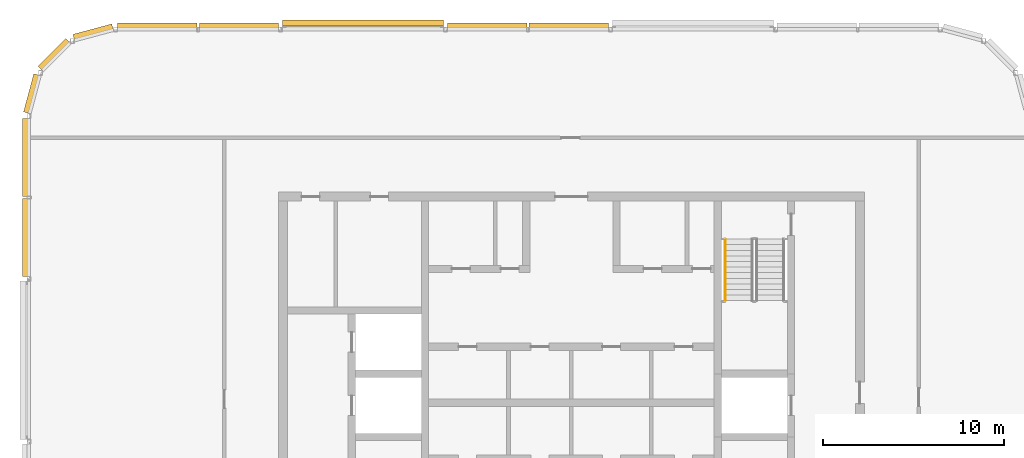
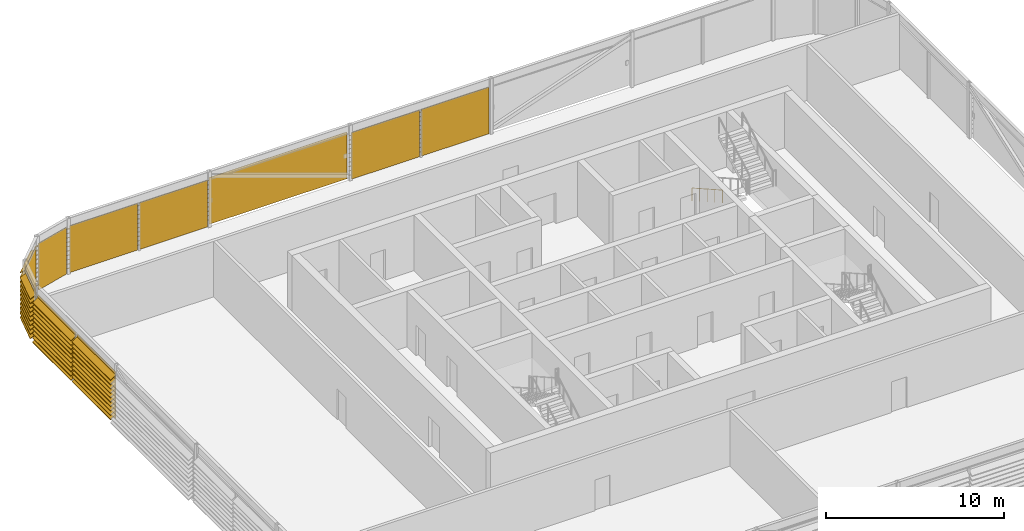
# One storey, part 27 of 28: 10 shading devices, 1 railing.
"""IFC4 building model written with IfcOpenShell, lengths in metres."""

import ifcopenshell
import ifcopenshell.guid

model = None  # the IFC model being written
_history = None  # IfcOwnerHistory: only IFC2X3 demands one
_inside = {}  # id of a spatial element -> (the spatial element, [elements in it])
_under = {}  # id of a project, library or spatial element -> (it, [spatial elements below it])
_declared = {}  # id of a project -> (the project, [libraries it declares])
_typed = {}  # id of a type object -> (the type object, [elements of that type])
_made_of = {}  # id of a material, layer set ... -> (it, [elements and type objects made of it])


def new_model(schema):
    """Start an empty IFC model of exactly this schema.

    Asked for "IFC4X3", IfcOpenShell would pick the latest addendum, in which some entities
    have other attributes; the version numbers below select the first issue.
    IFC2X3 requires an IfcOwnerHistory on every rooted entity: one is made here for all.
    """
    global model, _history
    if schema == "IFC4X3":
        model = ifcopenshell.file(schema_version=(4, 3, 0, 0))
    else:
        model = ifcopenshell.file(schema=schema)
    _inside.clear()
    _under.clear()
    _declared.clear()
    _typed.clear()
    _made_of.clear()
    _history = None
    if model.schema == "IFC2X3":
        org = make("IfcOrganization", Name="unknown")
        user = make(
            "IfcPersonAndOrganization",
            ThePerson=make("IfcPerson", FamilyName="unknown"),
            TheOrganization=org,
        )
        app = make(
            "IfcApplication",
            ApplicationDeveloper=org,
            Version="unknown",
            ApplicationFullName="unknown",
            ApplicationIdentifier="unknown",
        )
        _history = make(
            "IfcOwnerHistory",
            OwningUser=user,
            OwningApplication=app,
            ChangeAction="ADDED",
            CreationDate=0,
        )
    return model


def make(cls, **values):
    """One entity of the class cls with the attributes given. An attribute that is None is left unset."""
    return model.create_entity(
        cls, **{name: value for name, value in values.items() if value is not None}
    )


def rooted(cls, **values):
    """An entity with a GlobalId (a new one), such as an element, a storey or a relation."""
    return make(cls, GlobalId=ifcopenshell.guid.new(), OwnerHistory=_history, **values)


def si_unit(unit_type, name, prefix=None):
    """IfcSIUnit, for example si_unit("LENGTHUNIT", "METRE", prefix="MILLI")."""
    return make("IfcSIUnit", UnitType=unit_type, Prefix=prefix, Name=name)


def assignment(units):
    """IfcUnitAssignment: the units of a project."""
    return None if units is None else make("IfcUnitAssignment", Units=units)


def point(xyz):
    """IfcCartesianPoint."""
    return None if xyz is None else make("IfcCartesianPoint", Coordinates=xyz)


def direction(xyz):
    """IfcDirection."""
    return None if xyz is None else make("IfcDirection", DirectionRatios=xyz)


def frame(location, z_axis=None, x_axis=None):
    """IfcAxis2Placement3D, a coordinate frame: its origin and axes. An axis left out is left unset."""
    return make(
        "IfcAxis2Placement3D",
        Location=point(location),
        Axis=direction(z_axis),
        RefDirection=direction(x_axis),
    )


def frame_2d(location, x_axis=None):
    """IfcAxis2Placement2D, a coordinate frame in the plane: its origin and x axis."""
    return make(
        "IfcAxis2Placement2D", Location=point(location), RefDirection=direction(x_axis)
    )


def origin():
    """The frame at (0, 0, 0) with its axes left unset."""
    return frame((0.0, 0.0, 0.0))


def origin_2d():
    """The frame at (0, 0) in the plane with its x axis left unset."""
    return frame_2d((0.0, 0.0))


def place(relative_to, where):
    """IfcLocalPlacement: puts the frame where relative to a parent placement (None: the world)."""
    return make(
        "IfcLocalPlacement", PlacementRelTo=relative_to, RelativePlacement=where
    )


def context(
    kind, dimensions, precision=None, world=None, true_north=None, identifier=None
):
    """IfcGeometricRepresentationContext, for example the 3D "Model" context."""
    return make(
        "IfcGeometricRepresentationContext",
        ContextIdentifier=identifier,
        ContextType=kind,
        CoordinateSpaceDimension=dimensions,
        Precision=precision,
        WorldCoordinateSystem=world,
        TrueNorth=true_north,
    )


def subcontext(parent, identifier, kind, view, scale=None):
    """IfcGeometricRepresentationSubContext, for example "Body" below "Model"."""
    return make(
        "IfcGeometricRepresentationSubContext",
        ContextIdentifier=identifier,
        ContextType=kind,
        ParentContext=parent,
        TargetScale=scale,
        TargetView=view,
    )


def project(units=None, contexts=None):
    """IfcProject with its units and contexts."""
    return rooted(
        "IfcProject",
        Name="project",
        RepresentationContexts=contexts,
        UnitsInContext=assignment(units),
    )


def spatial(cls, under=None, at=None, **own):
    """A site, building, storey or space (cls), placed at a placement, below another one or the project."""
    s = rooted(cls, ObjectPlacement=at, **own)
    if under is not None:
        _under.setdefault(under.id(), (under, []))[1].append(s)
    return s


def polyline(points):
    """IfcPolyline through the points."""
    return make("IfcPolyline", Points=[point(p) for p in points])


def profile(cls, at=None, kind="AREA", **sizes):
    """A parametric profile (cls). Its sizes go by their IFC names, for example OverallWidth=200.0."""
    return make(cls, ProfileType=kind, Position=at, **sizes)


def circle(**sizes):
    """IfcCircleProfileDef."""
    return profile("IfcCircleProfileDef", **sizes)


def outline(outer, holes=None, kind="AREA"):
    """IfcArbitraryClosedProfileDef: a profile drawn as a closed curve; with holes, ...WithVoids."""
    if holes is None:
        return make("IfcArbitraryClosedProfileDef", ProfileType=kind, OuterCurve=outer)
    return make(
        "IfcArbitraryProfileDefWithVoids",
        ProfileType=kind,
        OuterCurve=outer,
        InnerCurves=holes,
    )


def extrude(swept, where, along, depth):
    """IfcExtrudedAreaSolid: the profile swept, set in the frame where, extruded along a direction by depth."""
    return make(
        "IfcExtrudedAreaSolid",
        SweptArea=swept,
        Position=where,
        ExtrudedDirection=direction(along),
        Depth=depth,
    )


def shape(context_of_items, identifier, shape_type, items):
    """IfcShapeRepresentation: the items that make up one representation, for example the "Body"."""
    return make(
        "IfcShapeRepresentation",
        ContextOfItems=context_of_items,
        RepresentationIdentifier=identifier,
        RepresentationType=shape_type,
        Items=items,
    )


def material(Name=None, Category=None):
    """IfcMaterial."""
    return make("IfcMaterial", Name=Name, Category=Category)


def made_of(thing, what):
    """Note that an element or type object is made of a material, layer set ...; save() writes the relation."""
    if what is not None:
        _made_of.setdefault(what.id(), (what, []))[1].append(thing)
    return thing


def type_object(cls, material=None, **own):
    """A type object (cls), such as IfcWallType, which elements share."""
    return made_of(rooted(cls, **own), material)


def element(
    cls,
    number,
    at=None,
    inside=None,
    cuts=None,
    type_object=None,
    material=None,
    context=None,
    identifier="Body",
    shape_type=None,
    held_by="IfcProductDefinitionShape",
    body=None,
    shapes=None,
    **own,
):
    """One element of the class cls, such as IfcWall. Its Tag is "e" and its number.

    at: its placement. inside: the storey or other place that contains it. cuts: it is an
    opening in that element (IfcRelVoidsElement). A single representation is given by context,
    identifier, shape_type and body (its items); several are given by shapes. held_by: the class
    of the entity that holds the representations. save() writes the other relations.
    """
    e = rooted(cls, Tag="e%d" % number, ObjectPlacement=at, **own)
    if body is not None:
        shapes = [shape(context, identifier, shape_type, body)]
    if shapes is not None:
        e.Representation = make(held_by, Representations=shapes)
    if inside is not None:
        _inside.setdefault(inside.id(), (inside, []))[1].append(e)
    if cuts is not None:
        rooted(
            "IfcRelVoidsElement", RelatingBuildingElement=cuts, RelatedOpeningElement=e
        )
    if type_object is not None:
        _typed.setdefault(type_object.id(), (type_object, []))[1].append(e)
    return made_of(e, material)


def aggregate(whole, parts):
    """IfcRelAggregates: a whole, such as a stair, and the parts it consists of."""
    return rooted("IfcRelAggregates", RelatingObject=whole, RelatedObjects=parts)


def save(model, path):
    """Write the relations noted so far, then the file.

    IfcRelAggregates (storeys below a building ...), IfcRelContainedInSpatialStructure (elements
    in a storey), IfcRelDefinesByType, IfcRelAssociatesMaterial and IfcRelDeclares: one each for
    every whole, place, type object, material and project.
    """
    for whole, parts in _under.values():
        aggregate(whole, parts)
    for where, things in _inside.values():
        rooted(
            "IfcRelContainedInSpatialStructure",
            RelatedElements=things,
            RelatingStructure=where,
        )
    for kind, things in _typed.values():
        rooted("IfcRelDefinesByType", RelatedObjects=things, RelatingType=kind)
    for what, things in _made_of.values():
        rooted("IfcRelAssociatesMaterial", RelatedObjects=things, RelatingMaterial=what)
    for by, libraries in _declared.values():
        rooted("IfcRelDeclares", RelatingContext=by, RelatedDefinitions=libraries)
    model.write(path)


model = new_model("IFC4")

# Units and contexts
model_context = context("Model", 3, precision=1e-05, world=origin(), true_north=direction((0.0, 1.0)))
body_context = subcontext(model_context, "Body", "Model", "MODEL_VIEW")
ifc_project = project(units=[si_unit("LENGTHUNIT", "METRE"), si_unit("AREAUNIT", "SQUARE_METRE"), si_unit("VOLUMEUNIT", "CUBIC_METRE"), si_unit("PLANEANGLEUNIT", "RADIAN"), si_unit("MASSUNIT", "GRAM", prefix="KILO")], contexts=[model_context])

# Site, building, storey
site_placement = place(None, origin())
site = spatial("IfcSite", under=ifc_project, at=site_placement, CompositionType="ELEMENT")
building_placement = place(site_placement, origin())
building = spatial("IfcBuilding", under=site, at=building_placement, Name="Madar Terraces", CompositionType="ELEMENT")
storey_placement = place(building_placement, frame((0.0, 0.0, 310.10009765625)))
storey = spatial("IfcBuildingStorey", under=building, at=storey_placement, Name="L80", CompositionType="ELEMENT", Elevation=310.10009765625)

# Shading devices
ifc_material_1 = material(Name="Aluminium, black anodised", Category="aluminium")
shading_device_type = type_object("IfcShadingDeviceType", Name="Crown louvre bank", PredefinedType="USERDEFINED", material=ifc_material_1)
shading_device_1_placement = place(storey_placement, frame((33.25830078125, 46.800048828125, 0.0), z_axis=(-1.0, 0.0, 0.0), x_axis=(0.0, -1.0, 0.0)))
element("IfcShadingDevice", 1, at=shading_device_1_placement, inside=storey, type_object=shading_device_type, Name="LOUVRE bank L80 18.1", ObjectType="LOUVRE", PredefinedType="USERDEFINED", context=body_context, shape_type="SweptSolid", body=[
    extrude(outline(polyline([(0.014892578125, 0.0), (-0.014892578125, 0.0), (-0.014892578125, 0.24951171875), (-0.3427734375, 0.02001953125), (-0.3427734375, 0.06884765625), (-0.014892578125, 0.29833984375), (-0.014892578125, 0.54931640625), (-0.3427734375, 0.320068359375), (-0.3427734375, 0.368896484375), (-0.014892578125, 0.59814453125), (-0.014892578125, 0.849365234375), (-0.3427734375, 0.6201171875), (-0.3427734375, 0.6689453125), (-0.014892578125, 0.898193359375), (-0.014892578125, 1.1494140625), (-0.3427734375, 0.919921875), (-0.3427734375, 0.96875), (-0.014892578125, 1.1982421875), (-0.014892578125, 1.449462890625), (-0.3427734375, 1.219970703125), (-0.3427734375, 1.268798828125), (-0.014892578125, 1.498291015625), (-0.014892578125, 1.74951171875), (-0.3427734375, 1.52001953125), (-0.3427734375, 1.56884765625), (-0.014892578125, 1.79833984375), (-0.014892578125, 2.04931640625), (-0.3427734375, 1.820068359375), (-0.3427734375, 1.868896484375), (-0.014892578125, 2.09814453125), (-0.014892578125, 2.349365234375), (-0.3427734375, 2.1201171875), (-0.3427734375, 2.1689453125), (-0.014892578125, 2.398193359375), (-0.014892578125, 2.6494140625), (-0.3427734375, 2.419921875), (-0.3427734375, 2.46875), (-0.014892578125, 2.6982421875), (-0.014892578125, 2.949462890625), (-0.3427734375, 2.719970703125), (-0.3427734375, 2.768798828125), (-0.014892578125, 2.998291015625), (-0.014892578125, 3.197998046875), (0.014892578125, 3.197998046875), (0.014892578125, 0.0)])), origin(), (0.0, 0.0, 1.0), 4.394775390625),
])
shading_device_2_placement = place(storey_placement, frame((28.736572265625, 46.800048828125, 0.0), z_axis=(-1.0, 0.0, 0.0), x_axis=(0.0, -1.0, 0.0)))
element("IfcShadingDevice", 2, at=shading_device_2_placement, inside=storey, type_object=shading_device_type, Name="LOUVRE bank L80 18.2", ObjectType="LOUVRE", PredefinedType="USERDEFINED", context=body_context, shape_type="SweptSolid", body=[
    extrude(outline(polyline([(0.014892578125, 0.0), (-0.014892578125, 0.0), (-0.014892578125, 0.24951171875), (-0.3427734375, 0.02001953125), (-0.3427734375, 0.06884765625), (-0.014892578125, 0.29833984375), (-0.014892578125, 0.54931640625), (-0.3427734375, 0.320068359375), (-0.3427734375, 0.368896484375), (-0.014892578125, 0.59814453125), (-0.014892578125, 0.849365234375), (-0.3427734375, 0.6201171875), (-0.3427734375, 0.6689453125), (-0.014892578125, 0.898193359375), (-0.014892578125, 1.1494140625), (-0.3427734375, 0.919921875), (-0.3427734375, 0.96875), (-0.014892578125, 1.1982421875), (-0.014892578125, 1.449462890625), (-0.3427734375, 1.219970703125), (-0.3427734375, 1.268798828125), (-0.014892578125, 1.498291015625), (-0.014892578125, 1.74951171875), (-0.3427734375, 1.52001953125), (-0.3427734375, 1.56884765625), (-0.014892578125, 1.79833984375), (-0.014892578125, 2.04931640625), (-0.3427734375, 1.820068359375), (-0.3427734375, 1.868896484375), (-0.014892578125, 2.09814453125), (-0.014892578125, 2.349365234375), (-0.3427734375, 2.1201171875), (-0.3427734375, 2.1689453125), (-0.014892578125, 2.398193359375), (-0.014892578125, 2.6494140625), (-0.3427734375, 2.419921875), (-0.3427734375, 2.46875), (-0.014892578125, 2.6982421875), (-0.014892578125, 2.949462890625), (-0.3427734375, 2.719970703125), (-0.3427734375, 2.768798828125), (-0.014892578125, 2.998291015625), (-0.014892578125, 3.197998046875), (0.014892578125, 3.197998046875), (0.014892578125, 0.0)])), origin(), (0.0, 0.0, 1.0), 4.39501953125),
])
shading_device_3_placement = place(storey_placement, frame((24.138427734375, 46.800048828125, 0.0), z_axis=(-1.0, 0.0, 0.0), x_axis=(0.0, -1.0, 0.0)))
element("IfcShadingDevice", 3, at=shading_device_3_placement, inside=storey, type_object=shading_device_type, Name="LOUVRE bank L80 19.1", ObjectType="LOUVRE", PredefinedType="USERDEFINED", context=body_context, shape_type="SweptSolid", body=[
    extrude(outline(polyline([(-0.156982421875, 0.0), (-0.18701171875, 0.0), (-0.18701171875, 0.24951171875), (-0.5146484375, 0.02001953125), (-0.5146484375, 0.06884765625), (-0.18701171875, 0.29833984375), (-0.18701171875, 0.54931640625), (-0.5146484375, 0.320068359375), (-0.5146484375, 0.368896484375), (-0.18701171875, 0.59814453125), (-0.18701171875, 0.849365234375), (-0.5146484375, 0.6201171875), (-0.5146484375, 0.6689453125), (-0.18701171875, 0.898193359375), (-0.18701171875, 1.1494140625), (-0.5146484375, 0.919921875), (-0.5146484375, 0.96875), (-0.18701171875, 1.1982421875), (-0.18701171875, 1.449462890625), (-0.5146484375, 1.219970703125), (-0.5146484375, 1.268798828125), (-0.18701171875, 1.498291015625), (-0.18701171875, 1.74951171875), (-0.5146484375, 1.52001953125), (-0.5146484375, 1.56884765625), (-0.18701171875, 1.79833984375), (-0.18701171875, 2.04931640625), (-0.5146484375, 1.820068359375), (-0.5146484375, 1.868896484375), (-0.18701171875, 2.09814453125), (-0.18701171875, 2.349365234375), (-0.5146484375, 2.1201171875), (-0.5146484375, 2.1689453125), (-0.18701171875, 2.398193359375), (-0.18701171875, 2.6494140625), (-0.5146484375, 2.419921875), (-0.5146484375, 2.46875), (-0.18701171875, 2.6982421875), (-0.18701171875, 2.949462890625), (-0.5146484375, 2.719970703125), (-0.5146484375, 2.768798828125), (-0.18701171875, 2.998291015625), (-0.18701171875, 3.197998046875), (-0.156982421875, 3.197998046875), (-0.156982421875, 0.0)])), origin(), (0.0, 0.0, 1.0), 8.916748046875),
])
shading_device_4_placement = place(storey_placement, frame((15.018310546875, 46.800048828125, 0.0), z_axis=(-1.0, 0.0, 0.0), x_axis=(0.0, -1.0, 0.0)))
element("IfcShadingDevice", 4, at=shading_device_4_placement, inside=storey, type_object=shading_device_type, Name="LOUVRE bank L80 20.1", ObjectType="LOUVRE", PredefinedType="USERDEFINED", context=body_context, shape_type="SweptSolid", body=[
    extrude(outline(polyline([(0.014892578125, 0.0), (-0.014892578125, 0.0), (-0.014892578125, 0.24951171875), (-0.3427734375, 0.02001953125), (-0.3427734375, 0.06884765625), (-0.014892578125, 0.29833984375), (-0.014892578125, 0.54931640625), (-0.3427734375, 0.320068359375), (-0.3427734375, 0.368896484375), (-0.014892578125, 0.59814453125), (-0.014892578125, 0.849365234375), (-0.3427734375, 0.6201171875), (-0.3427734375, 0.6689453125), (-0.014892578125, 0.898193359375), (-0.014892578125, 1.1494140625), (-0.3427734375, 0.919921875), (-0.3427734375, 0.96875), (-0.014892578125, 1.1982421875), (-0.014892578125, 1.449462890625), (-0.3427734375, 1.219970703125), (-0.3427734375, 1.268798828125), (-0.014892578125, 1.498291015625), (-0.014892578125, 1.74951171875), (-0.3427734375, 1.52001953125), (-0.3427734375, 1.56884765625), (-0.014892578125, 1.79833984375), (-0.014892578125, 2.04931640625), (-0.3427734375, 1.820068359375), (-0.3427734375, 1.868896484375), (-0.014892578125, 2.09814453125), (-0.014892578125, 2.349365234375), (-0.3427734375, 2.1201171875), (-0.3427734375, 2.1689453125), (-0.014892578125, 2.398193359375), (-0.014892578125, 2.6494140625), (-0.3427734375, 2.419921875), (-0.3427734375, 2.46875), (-0.014892578125, 2.6982421875), (-0.014892578125, 2.949462890625), (-0.3427734375, 2.719970703125), (-0.3427734375, 2.768798828125), (-0.014892578125, 2.998291015625), (-0.014892578125, 3.197998046875), (0.014892578125, 3.197998046875), (0.014892578125, 0.0)])), origin(), (0.0, 0.0, 1.0), 4.394775390625),
])
shading_device_5_placement = place(storey_placement, frame((10.49658203125, 46.800048828125, 0.0), z_axis=(-1.0, 0.0, 0.0), x_axis=(0.0, -1.0, 0.0)))
element("IfcShadingDevice", 5, at=shading_device_5_placement, inside=storey, type_object=shading_device_type, Name="LOUVRE bank L80 20.2", ObjectType="LOUVRE", PredefinedType="USERDEFINED", context=body_context, shape_type="SweptSolid", body=[
    extrude(outline(polyline([(0.014892578125, 0.0), (-0.014892578125, 0.0), (-0.014892578125, 0.24951171875), (-0.3427734375, 0.02001953125), (-0.3427734375, 0.06884765625), (-0.014892578125, 0.29833984375), (-0.014892578125, 0.54931640625), (-0.3427734375, 0.320068359375), (-0.3427734375, 0.368896484375), (-0.014892578125, 0.59814453125), (-0.014892578125, 0.849365234375), (-0.3427734375, 0.6201171875), (-0.3427734375, 0.6689453125), (-0.014892578125, 0.898193359375), (-0.014892578125, 1.1494140625), (-0.3427734375, 0.919921875), (-0.3427734375, 0.96875), (-0.014892578125, 1.1982421875), (-0.014892578125, 1.449462890625), (-0.3427734375, 1.219970703125), (-0.3427734375, 1.268798828125), (-0.014892578125, 1.498291015625), (-0.014892578125, 1.74951171875), (-0.3427734375, 1.52001953125), (-0.3427734375, 1.56884765625), (-0.014892578125, 1.79833984375), (-0.014892578125, 2.04931640625), (-0.3427734375, 1.820068359375), (-0.3427734375, 1.868896484375), (-0.014892578125, 2.09814453125), (-0.014892578125, 2.349365234375), (-0.3427734375, 2.1201171875), (-0.3427734375, 2.1689453125), (-0.014892578125, 2.398193359375), (-0.014892578125, 2.6494140625), (-0.3427734375, 2.419921875), (-0.3427734375, 2.46875), (-0.014892578125, 2.6982421875), (-0.014892578125, 2.949462890625), (-0.3427734375, 2.719970703125), (-0.3427734375, 2.768798828125), (-0.014892578125, 2.998291015625), (-0.014892578125, 3.197998046875), (0.014892578125, 3.197998046875), (0.014892578125, 0.0)])), origin(), (0.0, 0.0, 1.0), 4.39501953125),
])
shading_device_6_placement = place(storey_placement, frame((5.87353515625, 46.76611328125, 0.0), z_axis=(-0.965935304808, -0.258783668197, 0.0), x_axis=(0.258783668197, -0.965935304808, 0.0)))
element("IfcShadingDevice", 6, at=shading_device_6_placement, inside=storey, type_object=shading_device_type, Name="LOUVRE bank L80 21.1", ObjectType="LOUVRE", PredefinedType="USERDEFINED", context=body_context, shape_type="SweptSolid", body=[
    extrude(outline(polyline([(0.014892578125, 0.0), (-0.014892578125, 0.0), (-0.014892578125, 0.24951171875), (-0.3427734375, 0.02001953125), (-0.3427734375, 0.06884765625), (-0.014892578125, 0.29833984375), (-0.014892578125, 0.54931640625), (-0.3427734375, 0.320068359375), (-0.3427734375, 0.368896484375), (-0.014892578125, 0.59814453125), (-0.014892578125, 0.849365234375), (-0.3427734375, 0.6201171875), (-0.3427734375, 0.6689453125), (-0.014892578125, 0.898193359375), (-0.014892578125, 1.1494140625), (-0.3427734375, 0.919921875), (-0.3427734375, 0.96875), (-0.014892578125, 1.1982421875), (-0.014892578125, 1.449462890625), (-0.3427734375, 1.219970703125), (-0.3427734375, 1.268798828125), (-0.014892578125, 1.498291015625), (-0.014892578125, 1.74951171875), (-0.3427734375, 1.52001953125), (-0.3427734375, 1.56884765625), (-0.014892578125, 1.79833984375), (-0.014892578125, 2.04931640625), (-0.3427734375, 1.820068359375), (-0.3427734375, 1.868896484375), (-0.014892578125, 2.09814453125), (-0.014892578125, 2.349365234375), (-0.3427734375, 2.1201171875), (-0.3427734375, 2.1689453125), (-0.014892578125, 2.398193359375), (-0.014892578125, 2.6494140625), (-0.3427734375, 2.419921875), (-0.3427734375, 2.46875), (-0.014892578125, 2.6982421875), (-0.014892578125, 2.949462890625), (-0.3427734375, 2.719970703125), (-0.3427734375, 2.768798828125), (-0.014892578125, 2.998291015625), (-0.014892578125, 3.197998046875), (0.014892578125, 3.197998046875), (0.014892578125, 0.0)])), origin(), (0.0, 0.0, 1.0), 2.22265625),
])
shading_device_7_placement = place(storey_placement, frame((3.485595703125, 46.042724609375, 0.0), z_axis=(-0.707106781187, -0.707106781187, 0.0), x_axis=(0.707106781187, -0.707106781187, 0.0)))
element("IfcShadingDevice", 7, at=shading_device_7_placement, inside=storey, type_object=shading_device_type, Name="LOUVRE bank L80 22.1", ObjectType="LOUVRE", PredefinedType="USERDEFINED", context=body_context, shape_type="SweptSolid", body=[
    extrude(outline(polyline([(0.014892578125, 0.0), (-0.014892578125, 0.0), (-0.014892578125, 0.24951171875), (-0.3427734375, 0.02001953125), (-0.3427734375, 0.06884765625), (-0.014892578125, 0.29833984375), (-0.014892578125, 0.54931640625), (-0.3427734375, 0.320068359375), (-0.3427734375, 0.368896484375), (-0.014892578125, 0.59814453125), (-0.014892578125, 0.849365234375), (-0.3427734375, 0.6201171875), (-0.3427734375, 0.6689453125), (-0.014892578125, 0.898193359375), (-0.014892578125, 1.1494140625), (-0.3427734375, 0.919921875), (-0.3427734375, 0.96875), (-0.014892578125, 1.1982421875), (-0.014892578125, 1.449462890625), (-0.3427734375, 1.219970703125), (-0.3427734375, 1.268798828125), (-0.014892578125, 1.498291015625), (-0.014892578125, 1.74951171875), (-0.3427734375, 1.52001953125), (-0.3427734375, 1.56884765625), (-0.014892578125, 1.79833984375), (-0.014892578125, 2.04931640625), (-0.3427734375, 1.820068359375), (-0.3427734375, 1.868896484375), (-0.014892578125, 2.09814453125), (-0.014892578125, 2.349365234375), (-0.3427734375, 2.1201171875), (-0.3427734375, 2.1689453125), (-0.014892578125, 2.398193359375), (-0.014892578125, 2.6494140625), (-0.3427734375, 2.419921875), (-0.3427734375, 2.46875), (-0.014892578125, 2.6982421875), (-0.014892578125, 2.949462890625), (-0.3427734375, 2.719970703125), (-0.3427734375, 2.768798828125), (-0.014892578125, 2.998291015625), (-0.014892578125, 3.197998046875), (0.014892578125, 3.197998046875), (0.014892578125, 0.0)])), origin(), (0.0, 0.0, 1.0), 2.161376953125),
])
shading_device_8_placement = place(storey_placement, frame((1.804443359375, 44.256103515625, 0.0), z_axis=(-0.258788169352, -0.965934098893, 0.0), x_axis=(0.965934098893, -0.258788169352, 0.0)))
element("IfcShadingDevice", 8, at=shading_device_8_placement, inside=storey, type_object=shading_device_type, Name="LOUVRE bank L80 23.1", ObjectType="LOUVRE", PredefinedType="USERDEFINED", context=body_context, shape_type="SweptSolid", body=[
    extrude(outline(polyline([(0.014892578125, 0.0), (-0.014892578125, 0.0), (-0.014892578125, 0.24951171875), (-0.3427734375, 0.02001953125), (-0.3427734375, 0.06884765625), (-0.014892578125, 0.29833984375), (-0.014892578125, 0.54931640625), (-0.3427734375, 0.320068359375), (-0.3427734375, 0.368896484375), (-0.014892578125, 0.59814453125), (-0.014892578125, 0.849365234375), (-0.3427734375, 0.6201171875), (-0.3427734375, 0.6689453125), (-0.014892578125, 0.898193359375), (-0.014892578125, 1.1494140625), (-0.3427734375, 0.919921875), (-0.3427734375, 0.96875), (-0.014892578125, 1.1982421875), (-0.014892578125, 1.449462890625), (-0.3427734375, 1.219970703125), (-0.3427734375, 1.268798828125), (-0.014892578125, 1.498291015625), (-0.014892578125, 1.74951171875), (-0.3427734375, 1.52001953125), (-0.3427734375, 1.56884765625), (-0.014892578125, 1.79833984375), (-0.014892578125, 2.04931640625), (-0.3427734375, 1.820068359375), (-0.3427734375, 1.868896484375), (-0.014892578125, 2.09814453125), (-0.014892578125, 2.349365234375), (-0.3427734375, 2.1201171875), (-0.3427734375, 2.1689453125), (-0.014892578125, 2.398193359375), (-0.014892578125, 2.6494140625), (-0.3427734375, 2.419921875), (-0.3427734375, 2.46875), (-0.014892578125, 2.6982421875), (-0.014892578125, 2.949462890625), (-0.3427734375, 2.719970703125), (-0.3427734375, 2.768798828125), (-0.014892578125, 2.998291015625), (-0.014892578125, 3.197998046875), (0.014892578125, 3.197998046875), (0.014892578125, 0.0)])), origin(), (0.0, 0.0, 1.0), 2.186767578125),
])
for number, where, z_axis, x_axis, name in (
    (9, (1.199951171875, 41.873046875, 0.0), (0.0, -1.0, 0.0), (1.0, 0.0, 0.0), "LOUVRE bank L80 24.1"),
    (10, (1.199951171875, 37.4365234375, 0.0), (0.0, -1.0, 0.0), (1.0, 0.0, 0.0), "LOUVRE bank L80 24.2"),
):
    element("IfcShadingDevice", number, at=place(storey_placement, frame(where, z_axis=z_axis, x_axis=x_axis)), inside=storey, type_object=shading_device_type, Name=name, ObjectType="LOUVRE", PredefinedType="USERDEFINED", context=body_context, shape_type="SweptSolid", body=[
        extrude(outline(polyline([(0.014892578125, 0.0), (-0.014892578125, 0.0), (-0.014892578125, 0.24951171875), (-0.3427734375, 0.02001953125), (-0.3427734375, 0.06884765625), (-0.014892578125, 0.29833984375), (-0.014892578125, 0.54931640625), (-0.3427734375, 0.320068359375), (-0.3427734375, 0.368896484375), (-0.014892578125, 0.59814453125), (-0.014892578125, 0.849365234375), (-0.3427734375, 0.6201171875), (-0.3427734375, 0.6689453125), (-0.014892578125, 0.898193359375), (-0.014892578125, 1.1494140625), (-0.3427734375, 0.919921875), (-0.3427734375, 0.96875), (-0.014892578125, 1.1982421875), (-0.014892578125, 1.449462890625), (-0.3427734375, 1.219970703125), (-0.3427734375, 1.268798828125), (-0.014892578125, 1.498291015625), (-0.014892578125, 1.74951171875), (-0.3427734375, 1.52001953125), (-0.3427734375, 1.56884765625), (-0.014892578125, 1.79833984375), (-0.014892578125, 2.04931640625), (-0.3427734375, 1.820068359375), (-0.3427734375, 1.868896484375), (-0.014892578125, 2.09814453125), (-0.014892578125, 2.349365234375), (-0.3427734375, 2.1201171875), (-0.3427734375, 2.1689453125), (-0.014892578125, 2.398193359375), (-0.014892578125, 2.6494140625), (-0.3427734375, 2.419921875), (-0.3427734375, 2.46875), (-0.014892578125, 2.6982421875), (-0.014892578125, 2.949462890625), (-0.3427734375, 2.719970703125), (-0.3427734375, 2.768798828125), (-0.014892578125, 2.998291015625), (-0.014892578125, 3.197998046875), (0.014892578125, 3.197998046875), (0.014892578125, 0.0)])), origin(), (0.0, 0.0, 1.0), 4.3095703125),
    ])

# Railing
ifc_material_2 = material(Name="Stainless steel railing", Category="steel")
railing_type = type_object("IfcRailingType", Name="Stair handrail 900", PredefinedType="HANDRAIL", material=ifc_material_2)
railing_placement = place(storey_placement, frame((39.699951171875, 35.199951171875, 0.1748046875)))
element("IfcRailing", 11, at=railing_placement, inside=storey, type_object=railing_type, Name="L80 ST2 stair handrail 1", PredefinedType="HANDRAIL", context=body_context, shape_type="SweptSolid", body=[
    extrude(circle(Radius=0.02392578125, at=origin_2d()), frame((0.0, 0.0, 0.8759765625), z_axis=(0.0, -0.87081354652, 0.491613432685), x_axis=(1.0, 0.0, 0.0)), (0.0, 0.0, 1.0), 3.915771484375),
    extrude(circle(Radius=0.02099609375, at=origin_2d()), origin(), (0.0, 0.0, 1.0), 0.851806640625),
    extrude(circle(Radius=0.02099609375, at=origin_2d()), frame((0.0, -0.8525390625, 0.481201171875)), (0.0, 0.0, 1.0), 0.851806640625),
    extrude(circle(Radius=0.02099609375, at=origin_2d()), frame((0.0, -1.705078125, 0.96240234375)), (0.0, 0.0, 1.0), 0.851806640625),
    extrude(circle(Radius=0.02099609375, at=origin_2d()), frame((0.0, -2.557373046875, 1.44384765625)), (0.0, 0.0, 1.0), 0.851806640625),
    extrude(circle(Radius=0.02099609375, at=origin_2d()), frame((0.0, -3.409912109375, 1.925048828125)), (0.0, 0.0, 1.0), 0.851806640625),
])

save(model, "model.ifc")
